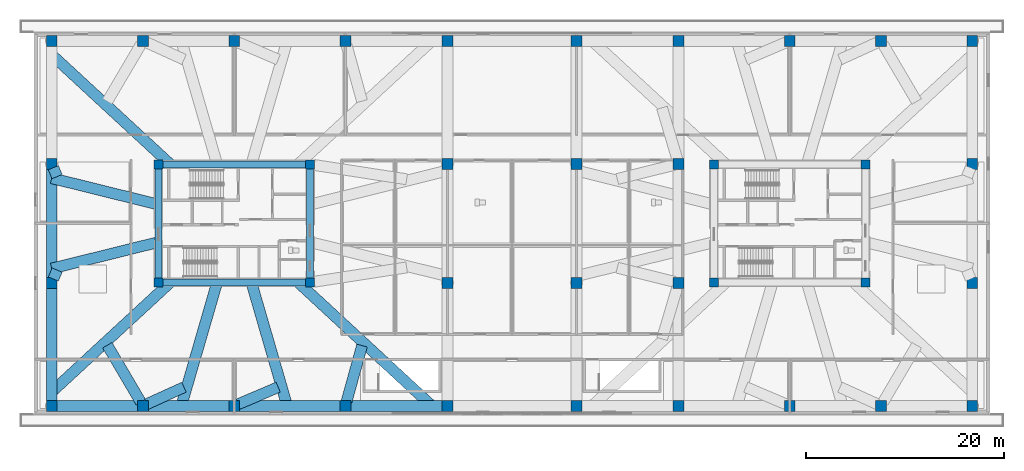
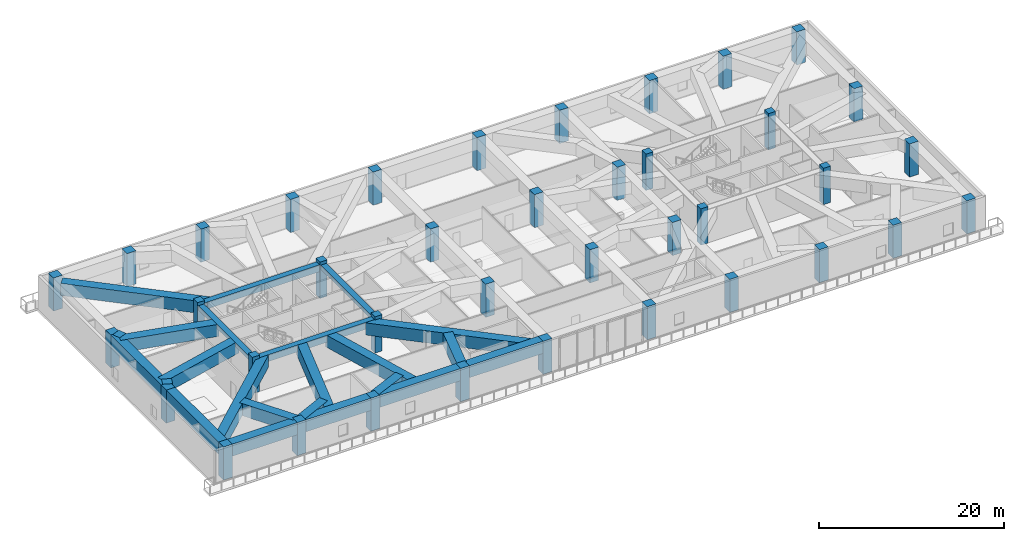
# One storey, part 1 of 21: 38 columns, 23 beams.
"""IFC4 building model written with IfcOpenShell, lengths in metres."""

import ifcopenshell
import ifcopenshell.guid

model = None  # the IFC model being written
_history = None  # IfcOwnerHistory: only IFC2X3 demands one
_inside = {}  # id of a spatial element -> (the spatial element, [elements in it])
_under = {}  # id of a project, library or spatial element -> (it, [spatial elements below it])
_declared = {}  # id of a project -> (the project, [libraries it declares])
_typed = {}  # id of a type object -> (the type object, [elements of that type])
_made_of = {}  # id of a material, layer set ... -> (it, [elements and type objects made of it])


def new_model(schema):
    """Start an empty IFC model of exactly this schema.

    Asked for "IFC4X3", IfcOpenShell would pick the latest addendum, in which some entities
    have other attributes; the version numbers below select the first issue.
    IFC2X3 requires an IfcOwnerHistory on every rooted entity: one is made here for all.
    """
    global model, _history
    if schema == "IFC4X3":
        model = ifcopenshell.file(schema_version=(4, 3, 0, 0))
    else:
        model = ifcopenshell.file(schema=schema)
    _inside.clear()
    _under.clear()
    _declared.clear()
    _typed.clear()
    _made_of.clear()
    _history = None
    if model.schema == "IFC2X3":
        org = make("IfcOrganization", Name="unknown")
        user = make(
            "IfcPersonAndOrganization",
            ThePerson=make("IfcPerson", FamilyName="unknown"),
            TheOrganization=org,
        )
        app = make(
            "IfcApplication",
            ApplicationDeveloper=org,
            Version="unknown",
            ApplicationFullName="unknown",
            ApplicationIdentifier="unknown",
        )
        _history = make(
            "IfcOwnerHistory",
            OwningUser=user,
            OwningApplication=app,
            ChangeAction="ADDED",
            CreationDate=0,
        )
    return model


def make(cls, **values):
    """One entity of the class cls with the attributes given. An attribute that is None is left unset."""
    return model.create_entity(
        cls, **{name: value for name, value in values.items() if value is not None}
    )


def rooted(cls, **values):
    """An entity with a GlobalId (a new one), such as an element, a storey or a relation."""
    return make(cls, GlobalId=ifcopenshell.guid.new(), OwnerHistory=_history, **values)


def si_unit(unit_type, name, prefix=None):
    """IfcSIUnit, for example si_unit("LENGTHUNIT", "METRE", prefix="MILLI")."""
    return make("IfcSIUnit", UnitType=unit_type, Prefix=prefix, Name=name)


def assignment(units):
    """IfcUnitAssignment: the units of a project."""
    return None if units is None else make("IfcUnitAssignment", Units=units)


def point(xyz):
    """IfcCartesianPoint."""
    return None if xyz is None else make("IfcCartesianPoint", Coordinates=xyz)


def direction(xyz):
    """IfcDirection."""
    return None if xyz is None else make("IfcDirection", DirectionRatios=xyz)


def frame(location, z_axis=None, x_axis=None):
    """IfcAxis2Placement3D, a coordinate frame: its origin and axes. An axis left out is left unset."""
    return make(
        "IfcAxis2Placement3D",
        Location=point(location),
        Axis=direction(z_axis),
        RefDirection=direction(x_axis),
    )


def frame_2d(location, x_axis=None):
    """IfcAxis2Placement2D, a coordinate frame in the plane: its origin and x axis."""
    return make(
        "IfcAxis2Placement2D", Location=point(location), RefDirection=direction(x_axis)
    )


def origin():
    """The frame at (0, 0, 0) with its axes left unset."""
    return frame((0.0, 0.0, 0.0))


def origin_2d():
    """The frame at (0, 0) in the plane with its x axis left unset."""
    return frame_2d((0.0, 0.0))


def place(relative_to, where):
    """IfcLocalPlacement: puts the frame where relative to a parent placement (None: the world)."""
    return make(
        "IfcLocalPlacement", PlacementRelTo=relative_to, RelativePlacement=where
    )


def context(
    kind, dimensions, precision=None, world=None, true_north=None, identifier=None
):
    """IfcGeometricRepresentationContext, for example the 3D "Model" context."""
    return make(
        "IfcGeometricRepresentationContext",
        ContextIdentifier=identifier,
        ContextType=kind,
        CoordinateSpaceDimension=dimensions,
        Precision=precision,
        WorldCoordinateSystem=world,
        TrueNorth=true_north,
    )


def subcontext(parent, identifier, kind, view, scale=None):
    """IfcGeometricRepresentationSubContext, for example "Body" below "Model"."""
    return make(
        "IfcGeometricRepresentationSubContext",
        ContextIdentifier=identifier,
        ContextType=kind,
        ParentContext=parent,
        TargetScale=scale,
        TargetView=view,
    )


def project(units=None, contexts=None):
    """IfcProject with its units and contexts."""
    return rooted(
        "IfcProject",
        Name="project",
        RepresentationContexts=contexts,
        UnitsInContext=assignment(units),
    )


def spatial(cls, under=None, at=None, **own):
    """A site, building, storey or space (cls), placed at a placement, below another one or the project."""
    s = rooted(cls, ObjectPlacement=at, **own)
    if under is not None:
        _under.setdefault(under.id(), (under, []))[1].append(s)
    return s


def profile(cls, at=None, kind="AREA", **sizes):
    """A parametric profile (cls). Its sizes go by their IFC names, for example OverallWidth=200.0."""
    return make(cls, ProfileType=kind, Position=at, **sizes)


def rectangle(**sizes):
    """IfcRectangleProfileDef."""
    return profile("IfcRectangleProfileDef", **sizes)


def extrude(swept, where, along, depth):
    """IfcExtrudedAreaSolid: the profile swept, set in the frame where, extruded along a direction by depth."""
    return make(
        "IfcExtrudedAreaSolid",
        SweptArea=swept,
        Position=where,
        ExtrudedDirection=direction(along),
        Depth=depth,
    )


def shape(context_of_items, identifier, shape_type, items):
    """IfcShapeRepresentation: the items that make up one representation, for example the "Body"."""
    return make(
        "IfcShapeRepresentation",
        ContextOfItems=context_of_items,
        RepresentationIdentifier=identifier,
        RepresentationType=shape_type,
        Items=items,
    )


def source(mapping_origin, context_of_items, identifier, shape_type, items):
    """IfcRepresentationMap: a shape defined once, which mapped items show again and again."""
    return make(
        "IfcRepresentationMap",
        MappingOrigin=mapping_origin,
        MappedRepresentation=shape(context_of_items, identifier, shape_type, items),
    )


def transform(
    local_origin,
    x_axis=None,
    y_axis=None,
    z_axis=None,
    scale=None,
    scale2=None,
    scale3=None,
    uniform=True,
):
    """IfcCartesianTransformationOperator3D, or its non-uniform kind. x_axis, y_axis, z_axis: its Axis1, 2, 3."""
    if uniform:
        return make(
            "IfcCartesianTransformationOperator3D",
            Axis1=direction(x_axis),
            Axis2=direction(y_axis),
            LocalOrigin=point(local_origin),
            Scale=scale,
            Axis3=direction(z_axis),
        )
    return make(
        "IfcCartesianTransformationOperator3DnonUniform",
        Axis1=direction(x_axis),
        Axis2=direction(y_axis),
        LocalOrigin=point(local_origin),
        Scale=scale,
        Axis3=direction(z_axis),
        Scale2=scale2,
        Scale3=scale3,
    )


def mapped(mapping_source, mapping_target):
    """IfcMappedItem: shows the shape of a source again, moved by a transform."""
    return make(
        "IfcMappedItem", MappingSource=mapping_source, MappingTarget=mapping_target
    )


def material(Name=None, Category=None):
    """IfcMaterial."""
    return make("IfcMaterial", Name=Name, Category=Category)


def material_profile(
    of_material, cross_section, Name=None, Category=None, Priority=None
):
    """IfcMaterialProfile: a cross section and its material."""
    return make(
        "IfcMaterialProfile",
        Name=Name,
        Material=of_material,
        Profile=cross_section,
        Priority=Priority,
        Category=Category,
    )


def profile_set(profiles, Name=None, composite=None):
    """IfcMaterialProfileSet."""
    return make(
        "IfcMaterialProfileSet",
        Name=Name,
        MaterialProfiles=profiles,
        CompositeProfile=composite,
    )


def made_of(thing, what):
    """Note that an element or type object is made of a material, layer set ...; save() writes the relation."""
    if what is not None:
        _made_of.setdefault(what.id(), (what, []))[1].append(thing)
    return thing


def type_object(cls, material=None, **own):
    """A type object (cls), such as IfcWallType, which elements share."""
    return made_of(rooted(cls, **own), material)


def type_shapes(of_type, sources):
    """Give a type object the sources (RepresentationMaps) that its elements show as mapped items."""
    of_type.RepresentationMaps = sources


def element(
    cls,
    number,
    at=None,
    inside=None,
    cuts=None,
    type_object=None,
    material=None,
    context=None,
    identifier="Body",
    shape_type=None,
    held_by="IfcProductDefinitionShape",
    body=None,
    shapes=None,
    **own,
):
    """One element of the class cls, such as IfcWall. Its Tag is "e" and its number.

    at: its placement. inside: the storey or other place that contains it. cuts: it is an
    opening in that element (IfcRelVoidsElement). A single representation is given by context,
    identifier, shape_type and body (its items); several are given by shapes. held_by: the class
    of the entity that holds the representations. save() writes the other relations.
    """
    e = rooted(cls, Tag="e%d" % number, ObjectPlacement=at, **own)
    if body is not None:
        shapes = [shape(context, identifier, shape_type, body)]
    if shapes is not None:
        e.Representation = make(held_by, Representations=shapes)
    if inside is not None:
        _inside.setdefault(inside.id(), (inside, []))[1].append(e)
    if cuts is not None:
        rooted(
            "IfcRelVoidsElement", RelatingBuildingElement=cuts, RelatedOpeningElement=e
        )
    if type_object is not None:
        _typed.setdefault(type_object.id(), (type_object, []))[1].append(e)
    return made_of(e, material)


def aggregate(whole, parts):
    """IfcRelAggregates: a whole, such as a stair, and the parts it consists of."""
    return rooted("IfcRelAggregates", RelatingObject=whole, RelatedObjects=parts)


def save(model, path):
    """Write the relations noted so far, then the file.

    IfcRelAggregates (storeys below a building ...), IfcRelContainedInSpatialStructure (elements
    in a storey), IfcRelDefinesByType, IfcRelAssociatesMaterial and IfcRelDeclares: one each for
    every whole, place, type object, material and project.
    """
    for whole, parts in _under.values():
        aggregate(whole, parts)
    for where, things in _inside.values():
        rooted(
            "IfcRelContainedInSpatialStructure",
            RelatedElements=things,
            RelatingStructure=where,
        )
    for kind, things in _typed.values():
        rooted("IfcRelDefinesByType", RelatedObjects=things, RelatingType=kind)
    for what, things in _made_of.values():
        rooted("IfcRelAssociatesMaterial", RelatedObjects=things, RelatingMaterial=what)
    for by, libraries in _declared.values():
        rooted("IfcRelDeclares", RelatingContext=by, RelatedDefinitions=libraries)
    model.write(path)


model = new_model("IFC4")

# Units and contexts
model_context = context("Model", 3, precision=1e-05, world=origin(), true_north=direction((0.0, 1.0)))
body_context = subcontext(model_context, "Body", "Model", "MODEL_VIEW")
ifc_project = project(units=[si_unit("LENGTHUNIT", "METRE"), si_unit("AREAUNIT", "SQUARE_METRE"), si_unit("VOLUMEUNIT", "CUBIC_METRE"), si_unit("PLANEANGLEUNIT", "RADIAN"), si_unit("MASSUNIT", "GRAM", prefix="KILO")], contexts=[model_context])

# Site, building, storey
site_placement = place(None, origin())
site = spatial("IfcSite", under=ifc_project, at=site_placement, CompositionType="ELEMENT")
building_placement = place(site_placement, origin())
building = spatial("IfcBuilding", under=site, at=building_placement, Name="Norrkilde Senior Care Towers", CompositionType="ELEMENT")
storey_placement = place(building_placement, frame((0.0, 0.0, 16.800048828125)))
storey = spatial("IfcBuildingStorey", under=building, at=storey_placement, Name="L04", CompositionType="ELEMENT", Elevation=16.800048828125)

# Columns
ifc_material = material(Name="Concrete C60/75", Category="concrete")
ifc_material_profile_1 = material_profile(ifc_material, rectangle(XDim=0.89990234375, YDim=0.89990234375, at=origin_2d()), Name="RC COL 900x900")
ifc_profile_set_1 = profile_set([ifc_material_profile_1], Name="Concrete C60/75")
column_type_1 = type_object("IfcColumnType", Name="Column Core Corner Z1-Z2 900", PredefinedType="COLUMN", material=ifc_profile_set_1)
shared_shape_1 = source(origin(), body_context, "Body", "SweptSolid", [
    extrude(rectangle(XDim=0.89990234375, YDim=0.89990234375, at=origin_2d()), origin(), (0.0, 0.0, 1.0), 4.800048828125),
])
type_shapes(column_type_1, [shared_shape_1])
for number, where, z_axis, x_axis, name in (
    (1, (-35.64990234375, -5.949951171875, 0.0), (0.0, 0.0, 1.0), (1.0, 0.0, 0.0), "L04 Core W Corner Column 1"),
    (2, (-20.35009765625, -5.949951171875, 0.0), (0.0, 0.0, 1.0), (1.0, 0.0, 0.0), "L04 Core W Corner Column 2"),
    (3, (-20.35009765625, 5.949951171875, 0.0), (0.0, 0.0, 1.0), (1.0, 0.0, 0.0), "L04 Core W Corner Column 3"),
    (4, (-35.64990234375, 5.949951171875, 0.0), (0.0, 0.0, 1.0), (1.0, 0.0, 0.0), "L04 Core W Corner Column 4"),
    (5, (20.35009765625, -5.949951171875, 0.0), (0.0, 0.0, 1.0), (1.0, 0.0, 0.0), "L04 Core E Corner Column 1"),
    (6, (35.64990234375, -5.949951171875, 0.0), (0.0, 0.0, 1.0), (1.0, 0.0, 0.0), "L04 Core E Corner Column 2"),
    (7, (35.64990234375, 5.949951171875, 0.0), (0.0, 0.0, 1.0), (1.0, 0.0, 0.0), "L04 Core E Corner Column 3"),
    (8, (20.35009765625, 5.949951171875, 0.0), (0.0, 0.0, 1.0), (1.0, 0.0, 0.0), "L04 Core E Corner Column 4"),
):
    element("IfcColumn", number, at=place(storey_placement, frame(where, z_axis=z_axis, x_axis=x_axis)), inside=storey, type_object=column_type_1, Name=name, PredefinedType="COLUMN", context=body_context, shape_type="MappedRepresentation", body=[
        mapped(shared_shape_1, transform((0.0, 0.0, 0.0), x_axis=(1.0, 0.0, 0.0), y_axis=(0.0, 1.0, 0.0), z_axis=(0.0, 0.0, 1.0), scale=1.0)),
    ])
ifc_material_profile_2 = material_profile(ifc_material, rectangle(XDim=1.10009765625, YDim=1.10009765625, at=origin_2d()), Name="RC COL 1100x1100")
ifc_profile_set_2 = profile_set([ifc_material_profile_2], Name="Concrete C60/75")
column_type_2 = type_object("IfcColumnType", Name="Column Podium Frame 1100", PredefinedType="COLUMN", material=ifc_profile_set_2)
shared_shape_2 = source(origin(), body_context, "Body", "SweptSolid", [
    extrude(rectangle(XDim=1.10009765625, YDim=1.10009765625, at=origin_2d()), origin(), (0.0, 0.0, 1.0), 4.3798828125),
])
type_shapes(column_type_2, [shared_shape_2])
for number, where, z_axis, x_axis, name in (
    (9, (-46.39990234375, -18.39990234375, 0.0), (0.0, 0.0, 1.0), (1.0, 0.0, 0.0), "L04 Podium Mega Column 01"),
    (10, (-37.199951171875, -18.39990234375, 0.0), (0.0, 0.0, 1.0), (1.0, 0.0, 0.0), "L04 Podium Mega Column 02"),
    (11, (-28.0, -18.39990234375, 0.0), (0.0, 0.0, 1.0), (1.0, 0.0, 0.0), "L04 Podium Mega Column 03"),
    (12, (-16.800048828125, -18.39990234375, 0.0), (0.0, 0.0, 1.0), (1.0, 0.0, 0.0), "L04 Podium Mega Column 04"),
    (13, (-6.5, -18.39990234375, 0.0), (0.0, 0.0, 1.0), (1.0, 0.0, 0.0), "L04 Podium Mega Column 05"),
    (14, (6.5, -18.39990234375, 0.0), (0.0, 0.0, 1.0), (1.0, 0.0, 0.0), "L04 Podium Mega Column 06"),
    (15, (16.800048828125, -18.39990234375, 0.0), (0.0, 0.0, 1.0), (1.0, 0.0, 0.0), "L04 Podium Mega Column 07"),
    (16, (28.0, -18.39990234375, 0.0), (0.0, 0.0, 1.0), (1.0, 0.0, 0.0), "L04 Podium Mega Column 08"),
    (17, (37.199951171875, -18.39990234375, 0.0), (0.0, 0.0, 1.0), (1.0, 0.0, 0.0), "L04 Podium Mega Column 09"),
    (18, (46.39990234375, -18.39990234375, 0.0), (0.0, 0.0, 1.0), (1.0, 0.0, 0.0), "L04 Podium Mega Column 10"),
    (19, (-46.39990234375, 18.39990234375, 0.0), (0.0, 0.0, 1.0), (1.0, 0.0, 0.0), "L04 Podium Mega Column 11"),
    (20, (-37.199951171875, 18.39990234375, 0.0), (0.0, 0.0, 1.0), (1.0, 0.0, 0.0), "L04 Podium Mega Column 12"),
    (21, (-28.0, 18.39990234375, 0.0), (0.0, 0.0, 1.0), (1.0, 0.0, 0.0), "L04 Podium Mega Column 13"),
    (22, (-16.800048828125, 18.39990234375, 0.0), (0.0, 0.0, 1.0), (1.0, 0.0, 0.0), "L04 Podium Mega Column 14"),
    (23, (-6.5, 18.39990234375, 0.0), (0.0, 0.0, 1.0), (1.0, 0.0, 0.0), "L04 Podium Mega Column 15"),
    (24, (6.5, 18.39990234375, 0.0), (0.0, 0.0, 1.0), (1.0, 0.0, 0.0), "L04 Podium Mega Column 16"),
    (25, (16.800048828125, 18.39990234375, 0.0), (0.0, 0.0, 1.0), (1.0, 0.0, 0.0), "L04 Podium Mega Column 17"),
    (26, (28.0, 18.39990234375, 0.0), (0.0, 0.0, 1.0), (1.0, 0.0, 0.0), "L04 Podium Mega Column 18"),
    (27, (37.199951171875, 18.39990234375, 0.0), (0.0, 0.0, 1.0), (1.0, 0.0, 0.0), "L04 Podium Mega Column 19"),
    (28, (46.39990234375, 18.39990234375, 0.0), (0.0, 0.0, 1.0), (1.0, 0.0, 0.0), "L04 Podium Mega Column 20"),
    (29, (-46.39990234375, -6.0, 0.0), (0.0, 0.0, 1.0), (1.0, 0.0, 0.0), "L04 Podium Mega Column 21"),
    (30, (-46.39990234375, 6.0, 0.0), (0.0, 0.0, 1.0), (1.0, 0.0, 0.0), "L04 Podium Mega Column 22"),
    (31, (-6.5, -6.0, 0.0), (0.0, 0.0, 1.0), (1.0, 0.0, 0.0), "L04 Podium Mega Column 23"),
    (32, (-6.5, 6.0, 0.0), (0.0, 0.0, 1.0), (1.0, 0.0, 0.0), "L04 Podium Mega Column 24"),
    (33, (6.5, -6.0, 0.0), (0.0, 0.0, 1.0), (1.0, 0.0, 0.0), "L04 Podium Mega Column 25"),
    (34, (6.5, 6.0, 0.0), (0.0, 0.0, 1.0), (1.0, 0.0, 0.0), "L04 Podium Mega Column 26"),
    (35, (16.800048828125, -6.0, 0.0), (0.0, 0.0, 1.0), (1.0, 0.0, 0.0), "L04 Podium Mega Column 27"),
    (36, (16.800048828125, 6.0, 0.0), (0.0, 0.0, 1.0), (1.0, 0.0, 0.0), "L04 Podium Mega Column 28"),
    (37, (46.39990234375, -6.0, 0.0), (0.0, 0.0, 1.0), (1.0, 0.0, 0.0), "L04 Podium Mega Column 29"),
    (38, (46.39990234375, 6.0, 0.0), (0.0, 0.0, 1.0), (1.0, 0.0, 0.0), "L04 Podium Mega Column 30"),
):
    element("IfcColumn", number, at=place(storey_placement, frame(where, z_axis=z_axis, x_axis=x_axis)), inside=storey, type_object=column_type_2, Name=name, PredefinedType="COLUMN", context=body_context, shape_type="MappedRepresentation", body=[
        mapped(shared_shape_2, transform((0.0, 0.0, 0.0), x_axis=(1.0, 0.0, 0.0), y_axis=(0.0, 1.0, 0.0), z_axis=(0.0, 0.0, 1.0), scale=1.0)),
    ])

# Beams
ifc_material_profile_3 = material_profile(ifc_material, rectangle(XDim=0.699951171875, YDim=0.89990234375, at=origin_2d()), Name="RC BM 700x900")
ifc_profile_set_3 = profile_set([ifc_material_profile_3], Name="Concrete C60/75")
beam_type_1 = type_object("IfcBeamType", Name="Core Coupling Girder 700x900", PredefinedType="USERDEFINED", material=ifc_profile_set_3)
shared_shape_3 = source(origin(), body_context, "Body", "SweptSolid", [
    extrude(rectangle(XDim=0.699951171875, YDim=0.89990234375, at=origin_2d()), origin(), (0.0, 0.0, 1.0), 14.43994140625),
])
type_shapes(beam_type_1, [shared_shape_3])
for number, where, z_axis, x_axis, name in (
    (39, (-35.219970703125, 5.949951171875, 3.929931640625), (1.0, 0.0, 0.0), (0.0, 1.0, 0.0), "L04 Core W N Coupling Girder"),
    (40, (-35.219970703125, -5.949951171875, 3.929931640625), (1.0, 0.0, 0.0), (0.0, 1.0, 0.0), "L04 Core W S Coupling Girder"),
):
    element("IfcBeam", number, at=place(storey_placement, frame(where, z_axis=z_axis, x_axis=x_axis)), inside=storey, type_object=beam_type_1, Name=name, ObjectType="GIRDER", PredefinedType="USERDEFINED", context=body_context, shape_type="MappedRepresentation", body=[
        mapped(shared_shape_3, transform((0.0, 0.0, 0.0), x_axis=(1.0, 0.0, 0.0), y_axis=(0.0, 1.0, 0.0), z_axis=(0.0, 0.0, 1.0), scale=1.0)),
    ])
ifc_material_profile_4 = material_profile(ifc_material, rectangle(XDim=0.699951171875, YDim=0.550048828125, at=origin_2d()), Name="RC BM 700x550")
ifc_profile_set_4 = profile_set([ifc_material_profile_4], Name="Concrete C60/75")
beam_type_2 = type_object("IfcBeamType", Name="Core Portal Coupling Beam 700x550", PredefinedType="USERDEFINED", material=ifc_profile_set_4)
shared_shape_4 = source(origin(), body_context, "Body", "SweptSolid", [
    extrude(rectangle(XDim=0.699951171875, YDim=0.550048828125, at=origin_2d()), origin(), (0.0, 0.0, 1.0), 11.0400390625),
])
type_shapes(beam_type_2, [shared_shape_4])
for number, where, z_axis, x_axis, name in (
    (41, (-35.64990234375, -5.52001953125, 4.10498046875), (0.0, 1.0, 0.0), (-1.0, 0.0, 0.0), "L04 Core W W Coupling Girder"),
    (42, (-20.35009765625, -5.52001953125, 4.10498046875), (0.0, 1.0, 0.0), (-1.0, 0.0, 0.0), "L04 Core W E Coupling Girder"),
):
    element("IfcBeam", number, at=place(storey_placement, frame(where, z_axis=z_axis, x_axis=x_axis)), inside=storey, type_object=beam_type_2, Name=name, ObjectType="GIRDER", PredefinedType="USERDEFINED", context=body_context, shape_type="MappedRepresentation", body=[
        mapped(shared_shape_4, transform((0.0, 0.0, 0.0), x_axis=(1.0, 0.0, 0.0), y_axis=(0.0, 1.0, 0.0), z_axis=(0.0, 0.0, 1.0), scale=1.0)),
    ])
ifc_material_profile_5 = material_profile(ifc_material, rectangle(XDim=1.10009765625, YDim=1.60009765625, at=origin_2d()), Name="RC TG 1100x1600")
ifc_profile_set_5 = profile_set([ifc_material_profile_5], Name="Concrete C60/75")
beam_type_3 = type_object("IfcBeamType", Name="Transfer Girder Podium 1100x1600", PredefinedType="USERDEFINED", material=ifc_profile_set_5)
shared_shape_5 = source(origin(), body_context, "Body", "SweptSolid", [
    extrude(rectangle(XDim=1.10009765625, YDim=1.60009765625, at=origin_2d()), origin(), (0.0, 0.0, 1.0), 8.300048828125),
])
for number, where, z_axis, x_axis, name in (
    (43, (-45.949951171875, -18.39990234375, 3.579833984375), (1.0, 0.0, 0.0), (0.0, 1.0, 0.0), "L04 Podium Ring Transfer Girder 1.1"),
    (44, (-36.75, -18.39990234375, 3.579833984375), (1.0, 0.0, 0.0), (0.0, 1.0, 0.0), "L04 Podium Ring Transfer Girder 1.2"),
):
    element("IfcBeam", number, at=place(storey_placement, frame(where, z_axis=z_axis, x_axis=x_axis)), inside=storey, type_object=beam_type_3, Name=name, ObjectType="GIRDER", PredefinedType="USERDEFINED", context=body_context, shape_type="MappedRepresentation", body=[
        mapped(shared_shape_5, transform((0.0, 0.0, 0.0), x_axis=(1.0, 0.0, 0.0), y_axis=(0.0, 1.0, 0.0), z_axis=(0.0, 0.0, 1.0), scale=1.0)),
    ])
shared_shape_6 = source(origin(), body_context, "Body", "SweptSolid", [
    extrude(rectangle(XDim=1.10009765625, YDim=1.60009765625, at=origin_2d()), origin(), (0.0, 0.0, 1.0), 10.300048828125),
])
beam_1_placement = place(storey_placement, frame((-27.550048828125, -18.39990234375, 3.579833984375), z_axis=(1.0, 0.0, 0.0), x_axis=(0.0, 1.0, 0.0)))
element("IfcBeam", 45, at=beam_1_placement, inside=storey, type_object=beam_type_3, Name="L04 Podium Ring Transfer Girder 1.3", ObjectType="GIRDER", PredefinedType="USERDEFINED", context=body_context, shape_type="MappedRepresentation", body=[
    mapped(shared_shape_6, transform((0.0, 0.0, 0.0), x_axis=(1.0, 0.0, 0.0), y_axis=(0.0, 1.0, 0.0), z_axis=(0.0, 0.0, 1.0), scale=1.0)),
])
shared_shape_7 = source(origin(), body_context, "Body", "SweptSolid", [
    extrude(rectangle(XDim=1.10009765625, YDim=1.60009765625, at=origin_2d()), origin(), (0.0, 0.0, 1.0), 9.400146484375),
])
beam_2_placement = place(storey_placement, frame((-16.35009765625, -18.39990234375, 3.579833984375), z_axis=(1.0, 0.0, 0.0), x_axis=(0.0, 1.0, 0.0)))
element("IfcBeam", 46, at=beam_2_placement, inside=storey, type_object=beam_type_3, Name="L04 Podium Ring Transfer Girder 1.4", ObjectType="GIRDER", PredefinedType="USERDEFINED", context=body_context, shape_type="MappedRepresentation", body=[
    mapped(shared_shape_7, transform((0.0, 0.0, 0.0), x_axis=(1.0, 0.0, 0.0), y_axis=(0.0, 1.0, 0.0), z_axis=(0.0, 0.0, 1.0), scale=1.0)),
])
shared_shape_8 = source(origin(), body_context, "Body", "SweptSolid", [
    extrude(rectangle(XDim=1.10009765625, YDim=1.60009765625, at=origin_2d()), origin(), (0.0, 0.0, 1.0), 11.5),
])
beam_3_placement = place(storey_placement, frame((-46.39990234375, -17.949951171875, 3.579833984375), z_axis=(0.0, 1.0, 0.0), x_axis=(-1.0, 0.0, 0.0)))
element("IfcBeam", 47, at=beam_3_placement, inside=storey, type_object=beam_type_3, Name="L04 Podium N-S Transfer Girder 1.1", ObjectType="GIRDER", PredefinedType="USERDEFINED", context=body_context, shape_type="MappedRepresentation", body=[
    mapped(shared_shape_8, transform((0.0, 0.0, 0.0), x_axis=(1.0, 0.0, 0.0), y_axis=(0.0, 1.0, 0.0), z_axis=(0.0, 0.0, 1.0), scale=1.0)),
])
shared_shape_9 = source(origin(), body_context, "Body", "SweptSolid", [
    extrude(rectangle(XDim=1.10009765625, YDim=1.60009765625, at=origin_2d()), origin(), (0.0, 0.0, 1.0), 11.10009765625),
])
beam_4_placement = place(storey_placement, frame((-46.39990234375, -5.550048828125, 3.579833984375), z_axis=(0.0, 1.0, 0.0), x_axis=(-1.0, 0.0, 0.0)))
element("IfcBeam", 48, at=beam_4_placement, inside=storey, type_object=beam_type_3, Name="L04 Podium N-S Transfer Girder 1.2", ObjectType="GIRDER", PredefinedType="USERDEFINED", context=body_context, shape_type="MappedRepresentation", body=[
    mapped(shared_shape_9, transform((0.0, 0.0, 0.0), x_axis=(1.0, 0.0, 0.0), y_axis=(0.0, 1.0, 0.0), z_axis=(0.0, 0.0, 1.0), scale=1.0)),
])
shared_shape_10 = source(origin(), body_context, "Body", "SweptSolid", [
    extrude(rectangle(XDim=1.10009765625, YDim=1.60009765625, at=origin_2d()), origin(), (0.0, 0.0, 1.0), 18.348388671875),
])
beam_5_placement = place(storey_placement, frame((-21.55859375, -5.949951171875, 3.579833984375), z_axis=(0.734573335287, -0.678529303041, 0.0), x_axis=(0.678529303041, 0.734573335287, 0.0)))
element("IfcBeam", 49, at=beam_5_placement, inside=storey, type_object=beam_type_3, Name="L04 Transfer Girder W-11", ObjectType="GIRDER", PredefinedType="USERDEFINED", context=body_context, shape_type="MappedRepresentation", body=[
    mapped(shared_shape_10, transform((0.0, 0.0, 0.0), x_axis=(1.0, 0.0, 0.0), y_axis=(0.0, 1.0, 0.0), z_axis=(0.0, 0.0, 1.0), scale=1.0)),
])
shared_shape_11 = source(origin(), body_context, "Body", "SweptSolid", [
    extrude(rectangle(XDim=1.10009765625, YDim=1.60009765625, at=origin_2d()), origin(), (0.0, 0.0, 1.0), 5.8857421875),
])
beam_6_placement = place(storey_placement, frame((-15.117919921875, -12.32275390625, 3.579833984375), z_axis=(-0.266762316847, -0.963762349498, 0.0), x_axis=(0.963762349498, -0.266762316847, 0.0)))
element("IfcBeam", 50, at=beam_6_placement, inside=storey, type_object=beam_type_3, Name="L04 Transfer Diaphragm Tie W-11", ObjectType="GIRDER", PredefinedType="USERDEFINED", context=body_context, shape_type="MappedRepresentation", body=[
    mapped(shared_shape_11, transform((0.0, 0.0, 0.0), x_axis=(1.0, 0.0, 0.0), y_axis=(0.0, 1.0, 0.0), z_axis=(0.0, 0.0, 1.0), scale=1.0)),
])
shared_shape_12 = source(origin(), body_context, "Body", "SweptSolid", [
    extrude(rectangle(XDim=1.10009765625, YDim=1.60009765625, at=origin_2d()), origin(), (0.0, 0.0, 1.0), 12.963134765625),
])
for number, where, z_axis, x_axis, name in (
    (51, (-29.72607421875, -5.949951171875, 3.579833984375), (-0.278584384581, -0.960411755794, 0.0), (0.960411755794, -0.278584384581, 0.0), "L04 Transfer Girder W-09"),
    (52, (-26.27392578125, -5.949951171875, 3.579833984375), (0.278584384581, -0.960411755794, 0.0), (0.960411755794, 0.278584384581, 0.0), "L04 Transfer Girder W-10"),
):
    element("IfcBeam", number, at=place(storey_placement, frame(where, z_axis=z_axis, x_axis=x_axis)), inside=storey, type_object=beam_type_3, Name=name, ObjectType="GIRDER", PredefinedType="USERDEFINED", context=body_context, shape_type="MappedRepresentation", body=[
        mapped(shared_shape_12, transform((0.0, 0.0, 0.0), x_axis=(1.0, 0.0, 0.0), y_axis=(0.0, 1.0, 0.0), z_axis=(0.0, 0.0, 1.0), scale=1.0)),
    ])
shared_shape_13 = source(origin(), body_context, "Body", "SweptSolid", [
    extrude(rectangle(XDim=1.10009765625, YDim=1.60009765625, at=origin_2d()), origin(), (0.0, 0.0, 1.0), 4.39404296875),
])
beam_7_placement = place(storey_placement, frame((-23.572509765625, -16.509765625, 3.579833984375), z_axis=(-0.919690170963, -0.392644864266, 0.0), x_axis=(0.392644864266, -0.919690170963, 0.0)))
element("IfcBeam", 53, at=beam_7_placement, inside=storey, type_object=beam_type_3, Name="L04 Transfer Diaphragm Tie W-10", ObjectType="GIRDER", PredefinedType="USERDEFINED", context=body_context, shape_type="MappedRepresentation", body=[
    mapped(shared_shape_13, transform((0.0, 0.0, 0.0), x_axis=(1.0, 0.0, 0.0), y_axis=(0.0, 1.0, 0.0), z_axis=(0.0, 0.0, 1.0), scale=1.0)),
])
shared_shape_14 = source(origin(), body_context, "Body", "SweptSolid", [
    extrude(rectangle(XDim=1.10009765625, YDim=1.60009765625, at=origin_2d()), origin(), (0.0, 0.0, 1.0), 4.120849609375),
])
beam_8_placement = place(storey_placement, frame((-33.06787109375, -16.517578125, 3.579833984375), z_axis=(-0.910027330566, -0.41454825729, 0.0), x_axis=(0.41454825729, -0.910027330566, 0.0)))
element("IfcBeam", 54, at=beam_8_placement, inside=storey, type_object=beam_type_3, Name="L04 Transfer Diaphragm Tie W-09", ObjectType="GIRDER", PredefinedType="USERDEFINED", context=body_context, shape_type="MappedRepresentation", body=[
    mapped(shared_shape_14, transform((0.0, 0.0, 0.0), x_axis=(1.0, 0.0, 0.0), y_axis=(0.0, 1.0, 0.0), z_axis=(0.0, 0.0, 1.0), scale=1.0)),
])
shared_shape_15 = source(origin(), body_context, "Body", "SweptSolid", [
    extrude(rectangle(XDim=1.10009765625, YDim=1.60009765625, at=origin_2d()), origin(), (0.0, 0.0, 1.0), 16.279541015625),
])
for number, where, z_axis, x_axis, name in (
    (55, (-34.44140625, 5.949951171875, 3.579833984375), (-0.734572844474, 0.678529834393, 0.0), (-0.678529834393, -0.734572844474, 0.0), "L04 Transfer Girder W-05"),
    (56, (-34.44140625, -5.949951171875, 3.579833984375), (-0.734572844474, -0.678529834393, 0.0), (0.678529834393, -0.734572844474, 0.0), "L04 Transfer Girder W-08"),
):
    element("IfcBeam", number, at=place(storey_placement, frame(where, z_axis=z_axis, x_axis=x_axis)), inside=storey, type_object=beam_type_3, Name=name, ObjectType="GIRDER", PredefinedType="USERDEFINED", context=body_context, shape_type="MappedRepresentation", body=[
        mapped(shared_shape_15, transform((0.0, 0.0, 0.0), x_axis=(1.0, 0.0, 0.0), y_axis=(0.0, 1.0, 0.0), z_axis=(0.0, 0.0, 1.0), scale=1.0)),
    ])
shared_shape_16 = source(origin(), body_context, "Body", "SweptSolid", [
    extrude(rectangle(XDim=1.10009765625, YDim=1.60009765625, at=origin_2d()), origin(), (0.0, 0.0, 1.0), 6.673095703125),
])
beam_9_placement = place(storey_placement, frame((-40.7978515625, -12.287109375, 3.579833984375), z_axis=(0.507224766721, -0.861813805891, 0.0), x_axis=(0.861813805891, 0.507224766721, 0.0)))
element("IfcBeam", 57, at=beam_9_placement, inside=storey, type_object=beam_type_3, Name="L04 Transfer Diaphragm Tie W-08", ObjectType="GIRDER", PredefinedType="USERDEFINED", context=body_context, shape_type="MappedRepresentation", body=[
    mapped(shared_shape_16, transform((0.0, 0.0, 0.0), x_axis=(1.0, 0.0, 0.0), y_axis=(0.0, 1.0, 0.0), z_axis=(0.0, 0.0, 1.0), scale=1.0)),
])
shared_shape_17 = source(origin(), body_context, "Body", "SweptSolid", [
    extrude(rectangle(XDim=1.10009765625, YDim=1.60009765625, at=origin_2d()), origin(), (0.0, 0.0, 1.0), 11.074462890625),
])
for number, where, z_axis, x_axis, name in (
    (58, (-35.64990234375, 1.893310546875, 3.579833984375), (-0.970705264967, 0.240273362165, 0.0), (-0.240273362165, -0.970705264967, 0.0), "L04 Transfer Girder W-06"),
    (59, (-35.64990234375, -1.893310546875, 3.579833984375), (-0.970705264967, -0.240273362165, 0.0), (0.240273362165, -0.970705264967, 0.0), "L04 Transfer Girder W-07"),
):
    element("IfcBeam", number, at=place(storey_placement, frame(where, z_axis=z_axis, x_axis=x_axis)), inside=storey, type_object=beam_type_3, Name=name, ObjectType="GIRDER", PredefinedType="USERDEFINED", context=body_context, shape_type="MappedRepresentation", body=[
        mapped(shared_shape_17, transform((0.0, 0.0, 0.0), x_axis=(1.0, 0.0, 0.0), y_axis=(0.0, 1.0, 0.0), z_axis=(0.0, 0.0, 1.0), scale=1.0)),
    ])
shared_shape_18 = source(origin(), body_context, "Body", "SweptSolid", [
    extrude(rectangle(XDim=1.10009765625, YDim=1.60009765625, at=origin_2d()), origin(), (0.0, 0.0, 1.0), 0.978759765625),
])
type_shapes(beam_type_3, [shared_shape_5, shared_shape_6, shared_shape_7, shared_shape_8, shared_shape_9, shared_shape_10, shared_shape_11, shared_shape_12, shared_shape_13, shared_shape_14, shared_shape_15, shared_shape_16, shared_shape_17, shared_shape_18])
for number, where, z_axis, x_axis, name in (
    (60, (-45.85986328125, 4.709716796875, 3.579833984375), (-0.386138088126, 0.922440988301, 0.0), (-0.922440988301, -0.386138088126, 0.0), "L04 Transfer Diaphragm Tie W-06"),
    (61, (-45.85986328125, -4.709716796875, 3.579833984375), (-0.386138088126, -0.922440988301, 0.0), (0.922440988301, -0.386138088126, 0.0), "L04 Transfer Diaphragm Tie W-07"),
):
    element("IfcBeam", number, at=place(storey_placement, frame(where, z_axis=z_axis, x_axis=x_axis)), inside=storey, type_object=beam_type_3, Name=name, ObjectType="GIRDER", PredefinedType="USERDEFINED", context=body_context, shape_type="MappedRepresentation", body=[
        mapped(shared_shape_18, transform((0.0, 0.0, 0.0), x_axis=(1.0, 0.0, 0.0), y_axis=(0.0, 1.0, 0.0), z_axis=(0.0, 0.0, 1.0), scale=1.0)),
    ])

save(model, "model.ifc")
